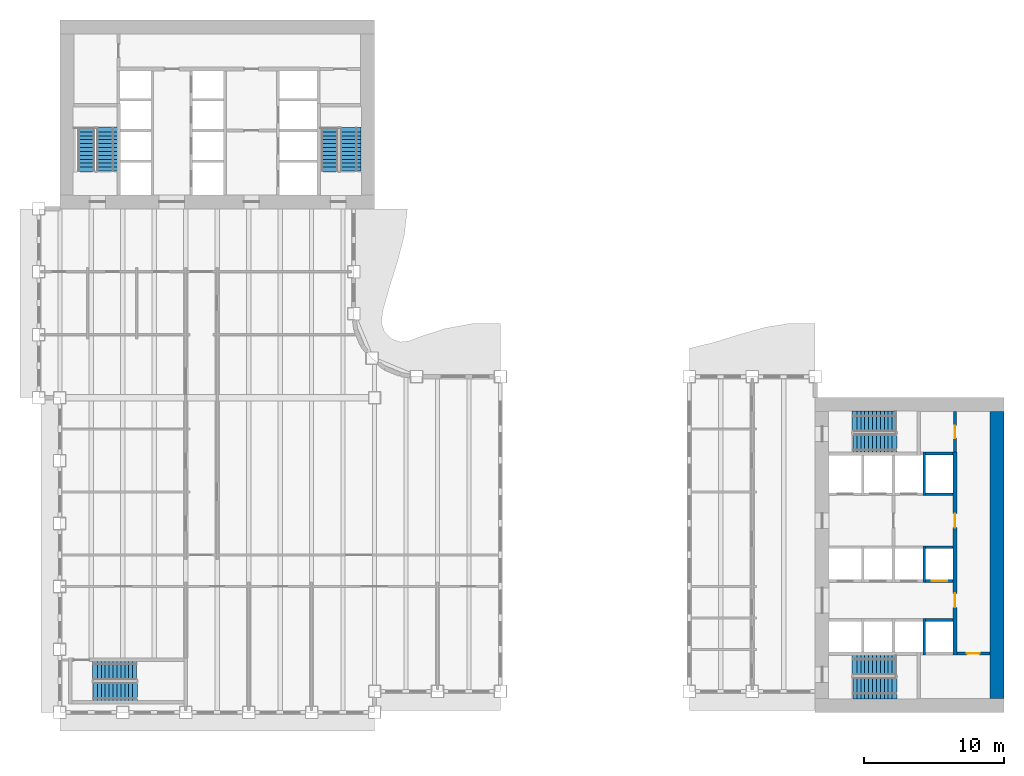
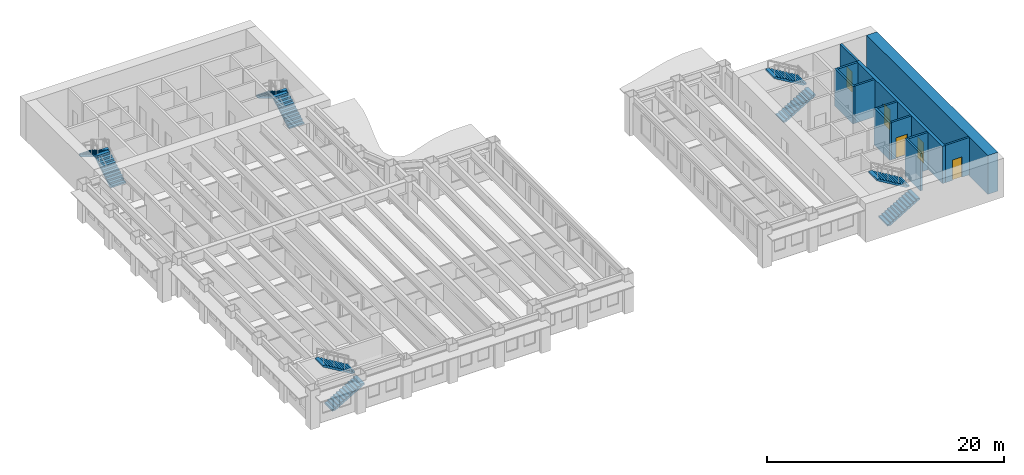
# One storey, part 9 of 13: 12 walls, 10 stair flights, 5 doors, 5 openings, 5 elements without a shape of their own.
"""IFC4 building model written with IfcOpenShell, lengths in metres."""

import ifcopenshell
import ifcopenshell.guid

model = None  # the IFC model being written
_history = None  # IfcOwnerHistory: only IFC2X3 demands one
_inside = {}  # id of a spatial element -> (the spatial element, [elements in it])
_under = {}  # id of a project, library or spatial element -> (it, [spatial elements below it])
_declared = {}  # id of a project -> (the project, [libraries it declares])
_typed = {}  # id of a type object -> (the type object, [elements of that type])
_made_of = {}  # id of a material, layer set ... -> (it, [elements and type objects made of it])


def new_model(schema):
    """Start an empty IFC model of exactly this schema.

    Asked for "IFC4X3", IfcOpenShell would pick the latest addendum, in which some entities
    have other attributes; the version numbers below select the first issue.
    IFC2X3 requires an IfcOwnerHistory on every rooted entity: one is made here for all.
    """
    global model, _history
    if schema == "IFC4X3":
        model = ifcopenshell.file(schema_version=(4, 3, 0, 0))
    else:
        model = ifcopenshell.file(schema=schema)
    _inside.clear()
    _under.clear()
    _declared.clear()
    _typed.clear()
    _made_of.clear()
    _history = None
    if model.schema == "IFC2X3":
        org = make("IfcOrganization", Name="unknown")
        user = make(
            "IfcPersonAndOrganization",
            ThePerson=make("IfcPerson", FamilyName="unknown"),
            TheOrganization=org,
        )
        app = make(
            "IfcApplication",
            ApplicationDeveloper=org,
            Version="unknown",
            ApplicationFullName="unknown",
            ApplicationIdentifier="unknown",
        )
        _history = make(
            "IfcOwnerHistory",
            OwningUser=user,
            OwningApplication=app,
            ChangeAction="ADDED",
            CreationDate=0,
        )
    return model


def make(cls, **values):
    """One entity of the class cls with the attributes given. An attribute that is None is left unset."""
    return model.create_entity(
        cls, **{name: value for name, value in values.items() if value is not None}
    )


def rooted(cls, **values):
    """An entity with a GlobalId (a new one), such as an element, a storey or a relation."""
    return make(cls, GlobalId=ifcopenshell.guid.new(), OwnerHistory=_history, **values)


def si_unit(unit_type, name, prefix=None):
    """IfcSIUnit, for example si_unit("LENGTHUNIT", "METRE", prefix="MILLI")."""
    return make("IfcSIUnit", UnitType=unit_type, Prefix=prefix, Name=name)


def assignment(units):
    """IfcUnitAssignment: the units of a project."""
    return None if units is None else make("IfcUnitAssignment", Units=units)


def point(xyz):
    """IfcCartesianPoint."""
    return None if xyz is None else make("IfcCartesianPoint", Coordinates=xyz)


def direction(xyz):
    """IfcDirection."""
    return None if xyz is None else make("IfcDirection", DirectionRatios=xyz)


def frame(location, z_axis=None, x_axis=None):
    """IfcAxis2Placement3D, a coordinate frame: its origin and axes. An axis left out is left unset."""
    return make(
        "IfcAxis2Placement3D",
        Location=point(location),
        Axis=direction(z_axis),
        RefDirection=direction(x_axis),
    )


def frame_2d(location, x_axis=None):
    """IfcAxis2Placement2D, a coordinate frame in the plane: its origin and x axis."""
    return make(
        "IfcAxis2Placement2D", Location=point(location), RefDirection=direction(x_axis)
    )


def origin():
    """The frame at (0, 0, 0) with its axes left unset."""
    return frame((0.0, 0.0, 0.0))


def place(relative_to, where):
    """IfcLocalPlacement: puts the frame where relative to a parent placement (None: the world)."""
    return make(
        "IfcLocalPlacement", PlacementRelTo=relative_to, RelativePlacement=where
    )


def context(
    kind, dimensions, precision=None, world=None, true_north=None, identifier=None
):
    """IfcGeometricRepresentationContext, for example the 3D "Model" context."""
    return make(
        "IfcGeometricRepresentationContext",
        ContextIdentifier=identifier,
        ContextType=kind,
        CoordinateSpaceDimension=dimensions,
        Precision=precision,
        WorldCoordinateSystem=world,
        TrueNorth=true_north,
    )


def subcontext(parent, identifier, kind, view, scale=None):
    """IfcGeometricRepresentationSubContext, for example "Body" below "Model"."""
    return make(
        "IfcGeometricRepresentationSubContext",
        ContextIdentifier=identifier,
        ContextType=kind,
        ParentContext=parent,
        TargetScale=scale,
        TargetView=view,
    )


def project(units=None, contexts=None):
    """IfcProject with its units and contexts."""
    return rooted(
        "IfcProject",
        Name="project",
        RepresentationContexts=contexts,
        UnitsInContext=assignment(units),
    )


def spatial(cls, under=None, at=None, **own):
    """A site, building, storey or space (cls), placed at a placement, below another one or the project."""
    s = rooted(cls, ObjectPlacement=at, **own)
    if under is not None:
        _under.setdefault(under.id(), (under, []))[1].append(s)
    return s


def polyline(points):
    """IfcPolyline through the points."""
    return make("IfcPolyline", Points=[point(p) for p in points])


def profile(cls, at=None, kind="AREA", **sizes):
    """A parametric profile (cls). Its sizes go by their IFC names, for example OverallWidth=200.0."""
    return make(cls, ProfileType=kind, Position=at, **sizes)


def rectangle(**sizes):
    """IfcRectangleProfileDef."""
    return profile("IfcRectangleProfileDef", **sizes)


def outline(outer, holes=None, kind="AREA"):
    """IfcArbitraryClosedProfileDef: a profile drawn as a closed curve; with holes, ...WithVoids."""
    if holes is None:
        return make("IfcArbitraryClosedProfileDef", ProfileType=kind, OuterCurve=outer)
    return make(
        "IfcArbitraryProfileDefWithVoids",
        ProfileType=kind,
        OuterCurve=outer,
        InnerCurves=holes,
    )


def extrude(swept, where, along, depth):
    """IfcExtrudedAreaSolid: the profile swept, set in the frame where, extruded along a direction by depth."""
    return make(
        "IfcExtrudedAreaSolid",
        SweptArea=swept,
        Position=where,
        ExtrudedDirection=direction(along),
        Depth=depth,
    )


def shape(context_of_items, identifier, shape_type, items):
    """IfcShapeRepresentation: the items that make up one representation, for example the "Body"."""
    return make(
        "IfcShapeRepresentation",
        ContextOfItems=context_of_items,
        RepresentationIdentifier=identifier,
        RepresentationType=shape_type,
        Items=items,
    )


def material(Name=None, Category=None):
    """IfcMaterial."""
    return make("IfcMaterial", Name=Name, Category=Category)


def layer(
    of_material, thickness, ventilated=None, Name=None, Category=None, Priority=None
):
    """IfcMaterialLayer: one layer of a wall or slab, of a material (None: an air gap)."""
    return make(
        "IfcMaterialLayer",
        Material=of_material,
        LayerThickness=thickness,
        IsVentilated=ventilated,
        Name=Name,
        Category=Category,
        Priority=Priority,
    )


def layer_set(layers, Name=None):
    """IfcMaterialLayerSet."""
    return make("IfcMaterialLayerSet", MaterialLayers=layers, LayerSetName=Name)


def made_of(thing, what):
    """Note that an element or type object is made of a material, layer set ...; save() writes the relation."""
    if what is not None:
        _made_of.setdefault(what.id(), (what, []))[1].append(thing)
    return thing


def type_object(cls, material=None, **own):
    """A type object (cls), such as IfcWallType, which elements share."""
    return made_of(rooted(cls, **own), material)


def element(
    cls,
    number,
    at=None,
    inside=None,
    cuts=None,
    type_object=None,
    material=None,
    context=None,
    identifier="Body",
    shape_type=None,
    held_by="IfcProductDefinitionShape",
    body=None,
    shapes=None,
    **own,
):
    """One element of the class cls, such as IfcWall. Its Tag is "e" and its number.

    at: its placement. inside: the storey or other place that contains it. cuts: it is an
    opening in that element (IfcRelVoidsElement). A single representation is given by context,
    identifier, shape_type and body (its items); several are given by shapes. held_by: the class
    of the entity that holds the representations. save() writes the other relations.
    """
    e = rooted(cls, Tag="e%d" % number, ObjectPlacement=at, **own)
    if body is not None:
        shapes = [shape(context, identifier, shape_type, body)]
    if shapes is not None:
        e.Representation = make(held_by, Representations=shapes)
    if inside is not None:
        _inside.setdefault(inside.id(), (inside, []))[1].append(e)
    if cuts is not None:
        rooted(
            "IfcRelVoidsElement", RelatingBuildingElement=cuts, RelatedOpeningElement=e
        )
    if type_object is not None:
        _typed.setdefault(type_object.id(), (type_object, []))[1].append(e)
    return made_of(e, material)


def fill(opening, filler):
    """IfcRelFillsElement: the door or window that sits in an opening."""
    return rooted(
        "IfcRelFillsElement",
        RelatingOpeningElement=opening,
        RelatedBuildingElement=filler,
    )


def aggregate(whole, parts):
    """IfcRelAggregates: a whole, such as a stair, and the parts it consists of."""
    return rooted("IfcRelAggregates", RelatingObject=whole, RelatedObjects=parts)


def save(model, path):
    """Write the relations noted so far, then the file.

    IfcRelAggregates (storeys below a building ...), IfcRelContainedInSpatialStructure (elements
    in a storey), IfcRelDefinesByType, IfcRelAssociatesMaterial and IfcRelDeclares: one each for
    every whole, place, type object, material and project.
    """
    for whole, parts in _under.values():
        aggregate(whole, parts)
    for where, things in _inside.values():
        rooted(
            "IfcRelContainedInSpatialStructure",
            RelatedElements=things,
            RelatingStructure=where,
        )
    for kind, things in _typed.values():
        rooted("IfcRelDefinesByType", RelatedObjects=things, RelatingType=kind)
    for what, things in _made_of.values():
        rooted("IfcRelAssociatesMaterial", RelatedObjects=things, RelatingMaterial=what)
    for by, libraries in _declared.values():
        rooted("IfcRelDeclares", RelatingContext=by, RelatedDefinitions=libraries)
    model.write(path)


model = new_model("IFC4")

# Units and contexts
model_context = context("Model", 3, precision=1e-05, world=origin(), true_north=direction((0.0, 1.0)))
body_context = subcontext(model_context, "Body", "Model", "MODEL_VIEW")
ifc_project = project(units=[si_unit("LENGTHUNIT", "METRE"), si_unit("AREAUNIT", "SQUARE_METRE"), si_unit("VOLUMEUNIT", "CUBIC_METRE"), si_unit("PLANEANGLEUNIT", "RADIAN"), si_unit("MASSUNIT", "GRAM", prefix="KILO")], contexts=[model_context])

# Site, building, storey
site_placement = place(None, origin())
site = spatial("IfcSite", under=ifc_project, at=site_placement, CompositionType="ELEMENT")
building_placement = place(site_placement, origin())
building = spatial("IfcBuilding", under=site, at=building_placement, Name="Sennacour Bend Tower", CompositionType="ELEMENT")
storey_placement = place(building_placement, frame((0.0, 0.0, 139.0)))
storey = spatial("IfcBuildingStorey", under=building, at=storey_placement, Name="L31", CompositionType="ELEMENT", Elevation=139.0)

# Wall
ifc_material_1 = material(Name="Concrete C60/75", Category="concrete")
ifc_layer_1 = layer(ifc_material_1, 1.0, Name="Concrete C60/75", Category="concrete")
ifc_layer_set_1 = layer_set([ifc_layer_1], Name="Concrete C60/75")
wall_type_1 = type_object("IfcWallType", Name="Core wall 1000 C60/75", PredefinedType="SHEAR", material=ifc_layer_set_1)
wall_1_placement = place(storey_placement, frame((67.0, 1.0, -0.14990234375), z_axis=(0.0, 0.0, 1.0), x_axis=(0.0, 1.0, 0.0)))
element("IfcWall", 1, at=wall_1_placement, inside=storey, type_object=wall_type_1, Name="Core A wall L31 E", PredefinedType="SHEAR", context=body_context, shape_type="SweptSolid", body=[
    extrude(rectangle(XDim=20.5, YDim=1.0, at=frame_2d((10.25, 0.0))), origin(), (0.0, 0.0, 1.0), 4.0),
])

# Wall, opening, door
ifc_material_2 = material(Name="Fire-rated plasterboard partition on steel studs", Category="steel")
ifc_layer_2 = layer(ifc_material_2, 0.199951171875, Name="Fire-rated plasterboard partition on steel studs", Category="steel")
ifc_layer_set_2 = layer_set([ifc_layer_2], Name="Fire-rated plasterboard partition on steel studs")
wall_type_2 = type_object("IfcWallType", Name="Rated partition 200", PredefinedType="PARTITIONING", material=ifc_layer_set_2)
wall_2_placement = place(storey_placement, frame((64.0, 18.60009765625, 0.0), z_axis=(0.0, 0.0, 1.0), x_axis=(0.0, 1.0, 0.0)))
wall_2 = element("IfcWall", 2, at=wall_2_placement, inside=storey, type_object=wall_type_2, Name="P-L31-W041", PredefinedType="PARTITIONING", context=body_context, shape_type="SweptSolid", body=[
    extrude(rectangle(XDim=2.89990234375, YDim=0.199951171875, at=frame_2d((1.449951171875, 0.0))), origin(), (0.0, 0.0, 1.0), 3.85009765625),
])
opening_1_placement = place(wall_2_placement, frame((1.0, 0.0, 0.0)))
opening_1 = element("IfcOpeningElement", 3, at=opening_1_placement, cuts=wall_2, Name="Opening SV", PredefinedType="OPENING", context=body_context, shape_type="SweptSolid", body=[
    extrude(rectangle(XDim=0.89990234375, YDim=2.10009765625, at=frame_2d((0.449951171875, 1.050048828125))), frame((0.0, 0.10986328125, 0.0), z_axis=(0.0, -1.0, 0.0), x_axis=(1.0, 0.0, 0.0)), (0.0, 0.0, 1.0), 0.219970703125),
])
ifc_material_3 = material(Name="Painted steel", Category="steel")
door_type_1 = type_object("IfcDoorType", Name="DR-SERVICE-900", OperationType="NOTDEFINED", PredefinedType="DOOR", material=ifc_material_3)
door_1_placement = place(opening_1_placement, origin())
door_1 = element("IfcDoor", 4, at=door_1_placement, inside=storey, type_object=door_type_1, Name="Door", OperationType="SINGLE_SWING_LEFT", OverallHeight=2.10009765625, OverallWidth=0.89990234375, PredefinedType="DOOR", context=body_context, shape_type="SweptSolid", body=[
    extrude(rectangle(XDim=0.89990234375, YDim=2.10009765625, at=frame_2d((0.449951171875, 1.050048828125))), frame((0.0, 0.02490234375, 0.0), z_axis=(0.0, -1.0, 0.0), x_axis=(1.0, 0.0, 0.0)), (0.0, 0.0, 1.0), 0.050048828125),
])
fill(opening_1, door_1)

wall_3_placement = place(storey_placement, frame((64.14990234375, 4.199951171875, 0.0), z_axis=(0.0, 0.0, 1.0), x_axis=(1.0, 0.0, 0.0)))
wall_3 = element("IfcWall", 5, at=wall_3_placement, inside=storey, type_object=wall_type_2, Name="P-L31-W049", PredefinedType="PARTITIONING", context=body_context, shape_type="SweptSolid", body=[
    extrude(rectangle(XDim=2.35009765625, YDim=0.199951171875, at=frame_2d((1.175048828125, 0.0))), origin(), (0.0, 0.0, 1.0), 3.85009765625),
])
opening_2_placement = place(wall_3_placement, frame((0.7001953125, 0.0, 0.0)))
opening_2 = element("IfcOpeningElement", 6, at=opening_2_placement, cuts=wall_3, Name="Opening SV", PredefinedType="OPENING", context=body_context, shape_type="SweptSolid", body=[
    extrude(rectangle(XDim=0.89990234375, YDim=2.10009765625, at=frame_2d((0.449951171875, 1.050048828125))), frame((0.0, 0.10986328125, 0.0), z_axis=(0.0, -1.0, 0.0), x_axis=(1.0, 0.0, 0.0)), (0.0, 0.0, 1.0), 0.219970703125),
])
door_2_placement = place(opening_2_placement, origin())
door_2 = element("IfcDoor", 7, at=door_2_placement, inside=storey, type_object=door_type_1, Name="Door", OperationType="SINGLE_SWING_LEFT", OverallHeight=2.10009765625, OverallWidth=0.89990234375, PredefinedType="DOOR", context=body_context, shape_type="SweptSolid", body=[
    extrude(rectangle(XDim=0.89990234375, YDim=2.10009765625, at=frame_2d((0.449951171875, 1.050048828125))), frame((0.0, 0.02490234375, 0.0), z_axis=(0.0, -1.0, 0.0), x_axis=(1.0, 0.0, 0.0)), (0.0, 0.0, 1.0), 0.050048828125),
])
fill(opening_2, door_2)

# Walls
ifc_material_4 = material(Name="Concrete C50/60", Category="concrete")
ifc_layer_3 = layer(ifc_material_4, 0.199951171875, Name="Concrete C50/60", Category="concrete")
ifc_layer_set_3 = layer_set([ifc_layer_3], Name="Concrete C50/60")
wall_type_3 = type_object("IfcWallType", Name="Shaft wall 200", PredefinedType="SOLIDWALL", material=ifc_layer_set_3)
for number, where, z_axis, x_axis, name in (
    (8, (61.800048828125, 4.10009765625, 0.0), (0.0, 0.0, 1.0), (0.0, 1.0, 0.0), "P-L31-W037"),
    (9, (61.800048828125, 9.300048828125, 0.0), (0.0, 0.0, 1.0), (0.0, 1.0, 0.0), "P-L31-W038"),
):
    element("IfcWall", number, at=place(storey_placement, frame(where, z_axis=z_axis, x_axis=x_axis)), inside=storey, type_object=wall_type_3, Name=name, PredefinedType="SOLIDWALL", context=body_context, shape_type="SweptSolid", body=[
        extrude(rectangle(XDim=2.599853515625, YDim=0.199951171875, at=frame_2d((1.2998046875, 0.0))), origin(), (0.0, 0.0, 1.0), 3.85009765625),
    ])
wall_4_placement = place(storey_placement, frame((61.800048828125, 15.5, 0.0), z_axis=(0.0, 0.0, 1.0), x_axis=(0.0, 1.0, 0.0)))
element("IfcWall", 10, at=wall_4_placement, inside=storey, type_object=wall_type_3, Name="P-L31-W039", PredefinedType="SOLIDWALL", context=body_context, shape_type="SweptSolid", body=[
    extrude(rectangle(XDim=3.10009765625, YDim=0.199951171875, at=frame_2d((1.550048828125, 0.0))), origin(), (0.0, 0.0, 1.0), 3.85009765625),
])
wall_5_placement = place(storey_placement, frame((61.89990234375, 6.60009765625, 0.0), z_axis=(0.0, 0.0, 1.0), x_axis=(1.0, 0.0, 0.0)))
element("IfcWall", 11, at=wall_5_placement, inside=storey, type_object=wall_type_3, Name="P-L31-W051d", PredefinedType="SOLIDWALL", context=body_context, shape_type="SweptSolid", body=[
    extrude(rectangle(XDim=1.9501953125, YDim=0.199951171875, at=frame_2d((0.97509765625, 0.0))), origin(), (0.0, 0.0, 1.0), 3.85009765625),
])

# Wall, opening, door
wall_6_placement = place(storey_placement, frame((61.89990234375, 9.39990234375, 0.0), z_axis=(0.0, 0.0, 1.0), x_axis=(1.0, 0.0, 0.0)))
wall_6 = element("IfcWall", 12, at=wall_6_placement, inside=storey, type_object=wall_type_3, Name="P-L31-W055d", PredefinedType="SOLIDWALL", context=body_context, shape_type="SweptSolid", body=[
    extrude(rectangle(XDim=1.9501953125, YDim=0.199951171875, at=frame_2d((0.97509765625, 0.0))), origin(), (0.0, 0.0, 1.0), 3.85009765625),
])
opening_3_placement = place(wall_6_placement, frame((0.425048828125, 0.0, 0.011962890625)))
opening_3 = element("IfcOpeningElement", 13, at=opening_3_placement, cuts=wall_6, Name="Opening LD", PredefinedType="OPENING", context=body_context, shape_type="SweptSolid", body=[
    extrude(rectangle(XDim=1.10009765625, YDim=2.10009765625, at=frame_2d((0.550048828125, 1.050048828125))), frame((0.0, 0.10986328125, 0.0), z_axis=(0.0, -1.0, 0.0), x_axis=(1.0, 0.0, 0.0)), (0.0, 0.0, 1.0), 0.219970703125),
])
ifc_material_5 = material(Name="Stainless steel", Category="steel")
door_type_2 = type_object("IfcDoorType", Name="DR-LANDING-1100", OperationType="NOTDEFINED", PredefinedType="DOOR", material=ifc_material_5)
door_3_placement = place(opening_3_placement, origin())
door_3 = element("IfcDoor", 14, at=door_3_placement, inside=storey, type_object=door_type_2, Name="Lift landing door HA4", OperationType="SLIDING_TO_RIGHT", OverallHeight=2.10009765625, OverallWidth=1.10009765625, PredefinedType="DOOR", context=body_context, shape_type="SweptSolid", body=[
    extrude(rectangle(XDim=1.10009765625, YDim=2.10009765625, at=frame_2d((0.550048828125, 1.050048828125))), frame((0.0, 0.02490234375, 0.0), z_axis=(0.0, -1.0, 0.0), x_axis=(1.0, 0.0, 0.0)), (0.0, 0.0, 1.0), 0.050048828125),
])
fill(opening_3, door_3)

# Walls
for number, where, z_axis, x_axis, name in (
    (15, (61.89990234375, 11.800048828125, 0.0), (0.0, 0.0, 1.0), (1.0, 0.0, 0.0), "P-L31-W057d"),
    (16, (61.89990234375, 15.60009765625, 0.0), (0.0, 0.0, 1.0), (1.0, 0.0, 0.0), "P-L31-W058d"),
    (17, (61.89990234375, 18.5, 0.0), (0.0, 0.0, 1.0), (1.0, 0.0, 0.0), "P-L31-W062b"),
):
    element("IfcWall", number, at=place(storey_placement, frame(where, z_axis=z_axis, x_axis=x_axis)), inside=storey, type_object=wall_type_3, Name=name, PredefinedType="SOLIDWALL", context=body_context, shape_type="SweptSolid", body=[
        extrude(rectangle(XDim=1.9501953125, YDim=0.199951171875, at=frame_2d((0.97509765625, 0.0))), origin(), (0.0, 0.0, 1.0), 3.85009765625),
    ])

# Wall, openings, doors
ifc_layer_4 = layer(ifc_material_1, 0.300048828125, Name="Concrete C60/75", Category="concrete")
ifc_layer_set_4 = layer_set([ifc_layer_4], Name="Concrete C60/75")
wall_type_4 = type_object("IfcWallType", Name="Spine wall 300", PredefinedType="SHEAR", material=ifc_layer_set_4)
wall_7_placement = place(storey_placement, frame((64.0, 4.10009765625, 0.0), z_axis=(0.0, 0.0, 1.0), x_axis=(0.0, 1.0, 0.0)))
wall_7 = element("IfcWall", 18, at=wall_7_placement, inside=storey, type_object=wall_type_4, Name="P-L31-W040", PredefinedType="SHEAR", context=body_context, shape_type="SweptSolid", body=[
    extrude(rectangle(XDim=14.5, YDim=0.300048828125, at=frame_2d((7.25, 0.0))), origin(), (0.0, 0.0, 1.0), 3.85009765625),
])
opening_4_placement = place(wall_7_placement, frame((3.39990234375, 0.0, 0.0)))
opening_4 = element("IfcOpeningElement", 19, at=opening_4_placement, cuts=wall_7, Name="Opening CD2", PredefinedType="OPENING", context=body_context, shape_type="SweptSolid", body=[
    extrude(rectangle(XDim=1.0, YDim=2.10009765625, at=frame_2d((0.5, 1.050048828125))), frame((0.0, 0.16015625, 0.0), z_axis=(0.0, -1.0, 0.0), x_axis=(1.0, 0.0, 0.0)), (0.0, 0.0, 1.0), 0.320068359375),
])
opening_5_placement = place(wall_7_placement, frame((9.099853515625, 0.0, 0.0)))
opening_5 = element("IfcOpeningElement", 20, at=opening_5_placement, cuts=wall_7, Name="Opening CD2", PredefinedType="OPENING", context=body_context, shape_type="SweptSolid", body=[
    extrude(rectangle(XDim=1.0, YDim=2.10009765625, at=frame_2d((0.5, 1.050048828125))), frame((0.0, 0.16015625, 0.0), z_axis=(0.0, -1.0, 0.0), x_axis=(1.0, 0.0, 0.0)), (0.0, 0.0, 1.0), 0.320068359375),
])
door_type_3 = type_object("IfcDoorType", Name="DR-LOBBY-1000", OperationType="NOTDEFINED", PredefinedType="DOOR", material=ifc_material_3)
door_4_placement = place(opening_4_placement, origin())
door_4 = element("IfcDoor", 21, at=door_4_placement, inside=storey, type_object=door_type_3, Name="Door", OperationType="SINGLE_SWING_LEFT", OverallHeight=2.10009765625, OverallWidth=1.0, PredefinedType="DOOR", context=body_context, shape_type="SweptSolid", body=[
    extrude(rectangle(XDim=1.0, YDim=2.10009765625, at=frame_2d((0.5, 1.050048828125))), frame((0.0, 0.02490234375, 0.0), z_axis=(0.0, -1.0, 0.0), x_axis=(1.0, 0.0, 0.0)), (0.0, 0.0, 1.0), 0.050048828125),
])
fill(opening_4, door_4)
door_5_placement = place(opening_5_placement, origin())
door_5 = element("IfcDoor", 22, at=door_5_placement, inside=storey, type_object=door_type_3, Name="Door", OperationType="SINGLE_SWING_RIGHT", OverallHeight=2.10009765625, OverallWidth=1.0, PredefinedType="DOOR", context=body_context, shape_type="SweptSolid", body=[
    extrude(rectangle(XDim=1.0, YDim=2.10009765625, at=frame_2d((0.5, 1.050048828125))), frame((0.0, 0.02490234375, 0.0), z_axis=(0.0, -1.0, 0.0), x_axis=(1.0, 0.0, 0.0)), (0.0, 0.0, 1.0), 0.050048828125),
])
fill(opening_5, door_5)

# Stair, stair flights
ifc_material_6 = material(Name="Concrete C40/50", Category="concrete")
stair_type = type_object("IfcStairType", Name="ST-DOGLEG", PredefinedType="HALF_TURN_STAIR", material=ifc_material_6)
stair_1_placement = place(storey_placement, origin())
stair_1 = element("IfcStair", 23, at=stair_1_placement, inside=storey, type_object=stair_type, Name="L31 Exit stair A1", PredefinedType="HALF_TURN_STAIR")
stair_flight_type = type_object("IfcStairFlightType", Name="SFL-RC", PredefinedType="STRAIGHT", material=ifc_material_6)
stair_flight_1_placement = place(storey_placement, frame((56.699951171875, 1.735107421875, 0.0), z_axis=(0.0, 0.0, 1.0), x_axis=(1.0, 0.0, 0.0)))
stair_flight_1 = element("IfcStairFlight", 24, at=stair_flight_1_placement, type_object=stair_flight_type, Name="SA1 flight 1", NumberOfRisers=12, NumberOfTreads=11, PredefinedType="STRAIGHT", RiserHeight=0.166666667, TreadLength=0.28, context=body_context, shape_type="SweptSolid", body=[
    extrude(outline(polyline([(0.0, 0.0), (0.0, 0.166748046875), (0.280029296875, 0.166748046875), (0.280029296875, 0.333251953125), (0.56005859375, 0.333251953125), (0.56005859375, 0.5), (0.840087890625, 0.5), (0.840087890625, 0.666748046875), (1.1201171875, 0.666748046875), (1.1201171875, 0.833251953125), (1.39990234375, 0.833251953125), (1.39990234375, 1.0), (1.679931640625, 1.0), (1.679931640625, 1.166748046875), (1.9599609375, 1.166748046875), (1.9599609375, 1.333251953125), (2.239990234375, 1.333251953125), (2.239990234375, 1.5), (2.52001953125, 1.5), (2.52001953125, 1.666748046875), (2.800048828125, 1.666748046875), (2.800048828125, 1.833251953125), (3.080078125, 1.833251953125), (3.139892578125, 1.833251953125), (3.139892578125, 1.658935546875), (3.080078125, 1.658935546875), (0.29296875, 0.0), (0.0, 0.0)])), frame((0.0, 0.76513671875, 0.0), z_axis=(0.0, -1.0, 0.0), x_axis=(1.0, 0.0, 0.0)), (0.0, 0.0, 1.0), 1.530029296875),
])
stair_flight_2_placement = place(storey_placement, frame((59.780029296875, 3.37744140625, 2.0), z_axis=(0.0, 0.0, 1.0), x_axis=(-1.0, 0.0, 0.0)))
stair_flight_2 = element("IfcStairFlight", 25, at=stair_flight_2_placement, type_object=stair_flight_type, Name="SA1 flight 2", NumberOfRisers=12, NumberOfTreads=11, PredefinedType="STRAIGHT", RiserHeight=0.166666667, TreadLength=0.28, context=body_context, shape_type="SweptSolid", body=[
    extrude(outline(polyline([(0.0, 0.0), (0.0, 0.166748046875), (0.280029296875, 0.166748046875), (0.280029296875, 0.333251953125), (0.56005859375, 0.333251953125), (0.56005859375, 0.5), (0.840087890625, 0.5), (0.840087890625, 0.666748046875), (1.1201171875, 0.666748046875), (1.1201171875, 0.833251953125), (1.39990234375, 0.833251953125), (1.39990234375, 1.0), (1.679931640625, 1.0), (1.679931640625, 1.166748046875), (1.9599609375, 1.166748046875), (1.9599609375, 1.333251953125), (2.239990234375, 1.333251953125), (2.239990234375, 1.5), (2.52001953125, 1.5), (2.52001953125, 1.666748046875), (2.800048828125, 1.666748046875), (2.800048828125, 1.833251953125), (3.080078125, 1.833251953125), (3.139892578125, 1.833251953125), (3.139892578125, 1.658935546875), (3.080078125, 1.658935546875), (0.29296875, 0.0), (0.0, 0.0)])), frame((0.0, 0.7275390625, 0.0), z_axis=(0.0, -1.0, 0.0), x_axis=(1.0, 0.0, 0.0)), (0.0, 0.0, 1.0), 1.455078125),
])
aggregate(stair_1, [stair_flight_1, stair_flight_2])

stair_2_placement = place(storey_placement, origin())
stair_2 = element("IfcStair", 26, at=stair_2_placement, inside=storey, type_object=stair_type, Name="L31 Exit stair A2", PredefinedType="HALF_TURN_STAIR")
stair_flight_3_placement = place(storey_placement, frame((56.699951171875, 19.24755859375, 0.0), z_axis=(0.0, 0.0, 1.0), x_axis=(1.0, 0.0, 0.0)))
stair_flight_3 = element("IfcStairFlight", 27, at=stair_flight_3_placement, type_object=stair_flight_type, Name="SA2 flight 1", NumberOfRisers=12, NumberOfTreads=11, PredefinedType="STRAIGHT", RiserHeight=0.166666667, TreadLength=0.28, context=body_context, shape_type="SweptSolid", body=[
    extrude(outline(polyline([(0.0, 0.0), (0.0, 0.166748046875), (0.280029296875, 0.166748046875), (0.280029296875, 0.333251953125), (0.56005859375, 0.333251953125), (0.56005859375, 0.5), (0.840087890625, 0.5), (0.840087890625, 0.666748046875), (1.1201171875, 0.666748046875), (1.1201171875, 0.833251953125), (1.39990234375, 0.833251953125), (1.39990234375, 1.0), (1.679931640625, 1.0), (1.679931640625, 1.166748046875), (1.9599609375, 1.166748046875), (1.9599609375, 1.333251953125), (2.239990234375, 1.333251953125), (2.239990234375, 1.5), (2.52001953125, 1.5), (2.52001953125, 1.666748046875), (2.800048828125, 1.666748046875), (2.800048828125, 1.833251953125), (3.080078125, 1.833251953125), (3.139892578125, 1.833251953125), (3.139892578125, 1.658935546875), (3.080078125, 1.658935546875), (0.29296875, 0.0), (0.0, 0.0)])), frame((0.0, 0.65234375, 0.0), z_axis=(0.0, -1.0, 0.0), x_axis=(1.0, 0.0, 0.0)), (0.0, 0.0, 1.0), 1.304931640625),
])
stair_flight_4_placement = place(storey_placement, frame((59.780029296875, 20.7900390625, 2.0), z_axis=(0.0, 0.0, 1.0), x_axis=(-1.0, 0.0, 0.0)))
stair_flight_4 = element("IfcStairFlight", 28, at=stair_flight_4_placement, type_object=stair_flight_type, Name="SA2 flight 2", NumberOfRisers=12, NumberOfTreads=11, PredefinedType="STRAIGHT", RiserHeight=0.166666667, TreadLength=0.28, context=body_context, shape_type="SweptSolid", body=[
    extrude(outline(polyline([(0.0, 0.0), (0.0, 0.166748046875), (0.280029296875, 0.166748046875), (0.280029296875, 0.333251953125), (0.56005859375, 0.333251953125), (0.56005859375, 0.5), (0.840087890625, 0.5), (0.840087890625, 0.666748046875), (1.1201171875, 0.666748046875), (1.1201171875, 0.833251953125), (1.39990234375, 0.833251953125), (1.39990234375, 1.0), (1.679931640625, 1.0), (1.679931640625, 1.166748046875), (1.9599609375, 1.166748046875), (1.9599609375, 1.333251953125), (2.239990234375, 1.333251953125), (2.239990234375, 1.5), (2.52001953125, 1.5), (2.52001953125, 1.666748046875), (2.800048828125, 1.666748046875), (2.800048828125, 1.833251953125), (3.080078125, 1.833251953125), (3.139892578125, 1.833251953125), (3.139892578125, 1.658935546875), (3.080078125, 1.658935546875), (0.29296875, 0.0), (0.0, 0.0)])), frame((0.0, 0.739990234375, 0.0), z_axis=(0.0, -1.0, 0.0), x_axis=(1.0, 0.0, 0.0)), (0.0, 0.0, 1.0), 1.47998046875),
])
aggregate(stair_2, [stair_flight_3, stair_flight_4])

stair_3_placement = place(storey_placement, origin())
stair_3 = element("IfcStair", 29, at=stair_3_placement, inside=storey, type_object=stair_type, Name="L31 Exit stair B1", PredefinedType="HALF_TURN_STAIR")
stair_flight_5_placement = place(storey_placement, frame((3.37744140625, 38.699951171875, 0.0), z_axis=(0.0, 0.0, 1.0), x_axis=(0.0, 1.0, 0.0)))
stair_flight_5 = element("IfcStairFlight", 30, at=stair_flight_5_placement, type_object=stair_flight_type, Name="SB1 flight 1", NumberOfRisers=12, NumberOfTreads=11, PredefinedType="STRAIGHT", RiserHeight=0.166666667, TreadLength=0.28, context=body_context, shape_type="SweptSolid", body=[
    extrude(outline(polyline([(0.0, 0.0), (0.0, 0.166748046875), (0.280029296875, 0.166748046875), (0.280029296875, 0.333251953125), (0.56005859375, 0.333251953125), (0.56005859375, 0.5), (0.840087890625, 0.5), (0.840087890625, 0.666748046875), (1.1201171875, 0.666748046875), (1.1201171875, 0.833251953125), (1.39990234375, 0.833251953125), (1.39990234375, 1.0), (1.679931640625, 1.0), (1.679931640625, 1.166748046875), (1.9599609375, 1.166748046875), (1.9599609375, 1.333251953125), (2.239990234375, 1.333251953125), (2.239990234375, 1.5), (2.52001953125, 1.5), (2.52001953125, 1.666748046875), (2.800048828125, 1.666748046875), (2.800048828125, 1.833251953125), (3.080078125, 1.833251953125), (3.139892578125, 1.833251953125), (3.139892578125, 1.658935546875), (3.080078125, 1.658935546875), (0.29296875, 0.0), (0.0, 0.0)])), frame((0.0, 0.7275390625, 0.0), z_axis=(0.0, -1.0, 0.0), x_axis=(1.0, 0.0, 0.0)), (0.0, 0.0, 1.0), 1.455078125),
])
stair_flight_6_placement = place(storey_placement, frame((1.89990234375, 41.780029296875, 2.0), z_axis=(0.0, 0.0, 1.0), x_axis=(0.0, -1.0, 0.0)))
stair_flight_6 = element("IfcStairFlight", 31, at=stair_flight_6_placement, type_object=stair_flight_type, Name="SB1 flight 2", NumberOfRisers=12, NumberOfTreads=11, PredefinedType="STRAIGHT", RiserHeight=0.166666667, TreadLength=0.28, context=body_context, shape_type="SweptSolid", body=[
    extrude(outline(polyline([(0.0, 0.0), (0.0, 0.166748046875), (0.280029296875, 0.166748046875), (0.280029296875, 0.333251953125), (0.56005859375, 0.333251953125), (0.56005859375, 0.5), (0.840087890625, 0.5), (0.840087890625, 0.666748046875), (1.1201171875, 0.666748046875), (1.1201171875, 0.833251953125), (1.39990234375, 0.833251953125), (1.39990234375, 1.0), (1.679931640625, 1.0), (1.679931640625, 1.166748046875), (1.9599609375, 1.166748046875), (1.9599609375, 1.333251953125), (2.239990234375, 1.333251953125), (2.239990234375, 1.5), (2.52001953125, 1.5), (2.52001953125, 1.666748046875), (2.800048828125, 1.666748046875), (2.800048828125, 1.833251953125), (3.080078125, 1.833251953125), (3.139892578125, 1.833251953125), (3.139892578125, 1.658935546875), (3.080078125, 1.658935546875), (0.29296875, 0.0), (0.0, 0.0)])), frame((0.0, 0.60009765625, 0.0), z_axis=(0.0, -1.0, 0.0), x_axis=(1.0, 0.0, 0.0)), (0.0, 0.0, 1.0), 1.199951171875),
])
aggregate(stair_3, [stair_flight_5, stair_flight_6])

stair_4_placement = place(storey_placement, origin())
stair_4 = element("IfcStair", 32, at=stair_4_placement, inside=storey, type_object=stair_type, Name="L31 Exit stair B2", PredefinedType="HALF_TURN_STAIR")
stair_flight_7_placement = place(storey_placement, frame((20.7900390625, 38.699951171875, 0.0), z_axis=(0.0, 0.0, 1.0), x_axis=(0.0, 1.0, 0.0)))
stair_flight_7 = element("IfcStairFlight", 33, at=stair_flight_7_placement, type_object=stair_flight_type, Name="SB2 flight 1", NumberOfRisers=12, NumberOfTreads=11, PredefinedType="STRAIGHT", RiserHeight=0.166666667, TreadLength=0.28, context=body_context, shape_type="SweptSolid", body=[
    extrude(outline(polyline([(0.0, 0.0), (0.0, 0.166748046875), (0.280029296875, 0.166748046875), (0.280029296875, 0.333251953125), (0.56005859375, 0.333251953125), (0.56005859375, 0.5), (0.840087890625, 0.5), (0.840087890625, 0.666748046875), (1.1201171875, 0.666748046875), (1.1201171875, 0.833251953125), (1.39990234375, 0.833251953125), (1.39990234375, 1.0), (1.679931640625, 1.0), (1.679931640625, 1.166748046875), (1.9599609375, 1.166748046875), (1.9599609375, 1.333251953125), (2.239990234375, 1.333251953125), (2.239990234375, 1.5), (2.52001953125, 1.5), (2.52001953125, 1.666748046875), (2.800048828125, 1.666748046875), (2.800048828125, 1.833251953125), (3.080078125, 1.833251953125), (3.139892578125, 1.833251953125), (3.139892578125, 1.658935546875), (3.080078125, 1.658935546875), (0.29296875, 0.0), (0.0, 0.0)])), frame((0.0, 0.739990234375, 0.0), z_axis=(0.0, -1.0, 0.0), x_axis=(1.0, 0.0, 0.0)), (0.0, 0.0, 1.0), 1.47998046875),
])
stair_flight_8_placement = place(storey_placement, frame((19.24755859375, 41.780029296875, 2.0), z_axis=(0.0, 0.0, 1.0), x_axis=(0.0, -1.0, 0.0)))
stair_flight_8 = element("IfcStairFlight", 34, at=stair_flight_8_placement, type_object=stair_flight_type, Name="SB2 flight 2", NumberOfRisers=12, NumberOfTreads=11, PredefinedType="STRAIGHT", RiserHeight=0.166666667, TreadLength=0.28, context=body_context, shape_type="SweptSolid", body=[
    extrude(outline(polyline([(0.0, 0.0), (0.0, 0.166748046875), (0.280029296875, 0.166748046875), (0.280029296875, 0.333251953125), (0.56005859375, 0.333251953125), (0.56005859375, 0.5), (0.840087890625, 0.5), (0.840087890625, 0.666748046875), (1.1201171875, 0.666748046875), (1.1201171875, 0.833251953125), (1.39990234375, 0.833251953125), (1.39990234375, 1.0), (1.679931640625, 1.0), (1.679931640625, 1.166748046875), (1.9599609375, 1.166748046875), (1.9599609375, 1.333251953125), (2.239990234375, 1.333251953125), (2.239990234375, 1.5), (2.52001953125, 1.5), (2.52001953125, 1.666748046875), (2.800048828125, 1.666748046875), (2.800048828125, 1.833251953125), (3.080078125, 1.833251953125), (3.139892578125, 1.833251953125), (3.139892578125, 1.658935546875), (3.080078125, 1.658935546875), (0.29296875, 0.0), (0.0, 0.0)])), frame((0.0, 0.65234375, 0.0), z_axis=(0.0, -1.0, 0.0), x_axis=(1.0, 0.0, 0.0)), (0.0, 0.0, 1.0), 1.304931640625),
])
aggregate(stair_4, [stair_flight_7, stair_flight_8])

stair_5_placement = place(storey_placement, origin())
stair_5 = element("IfcStair", 35, at=stair_5_placement, inside=storey, type_object=stair_type, Name="L31 Exit stair K1", PredefinedType="HALF_TURN_STAIR")
stair_flight_9_placement = place(storey_placement, frame((2.39990234375, 1.485107421875, 0.0), z_axis=(0.0, 0.0, 1.0), x_axis=(1.0, 0.0, 0.0)))
stair_flight_9 = element("IfcStairFlight", 36, at=stair_flight_9_placement, type_object=stair_flight_type, Name="SK1 flight 1", NumberOfRisers=12, NumberOfTreads=11, PredefinedType="STRAIGHT", RiserHeight=0.166666667, TreadLength=0.28, context=body_context, shape_type="SweptSolid", body=[
    extrude(outline(polyline([(0.0, 0.0), (0.0, 0.166748046875), (0.280029296875, 0.166748046875), (0.280029296875, 0.333251953125), (0.56005859375, 0.333251953125), (0.56005859375, 0.5), (0.840087890625, 0.5), (0.840087890625, 0.666748046875), (1.1201171875, 0.666748046875), (1.1201171875, 0.833251953125), (1.39990234375, 0.833251953125), (1.39990234375, 1.0), (1.679931640625, 1.0), (1.679931640625, 1.166748046875), (1.9599609375, 1.166748046875), (1.9599609375, 1.333251953125), (2.239990234375, 1.333251953125), (2.239990234375, 1.5), (2.52001953125, 1.5), (2.52001953125, 1.666748046875), (2.800048828125, 1.666748046875), (2.800048828125, 1.833251953125), (3.080078125, 1.833251953125), (3.139892578125, 1.833251953125), (3.139892578125, 1.658935546875), (3.080078125, 1.658935546875), (0.29296875, 0.0), (0.0, 0.0)])), frame((0.0, 0.6650390625, 0.0), z_axis=(0.0, -1.0, 0.0), x_axis=(1.0, 0.0, 0.0)), (0.0, 0.0, 1.0), 1.330078125),
])
stair_flight_10_placement = place(storey_placement, frame((5.47998046875, 2.9775390625, 2.0), z_axis=(0.0, 0.0, 1.0), x_axis=(-1.0, 0.0, 0.0)))
stair_flight_10 = element("IfcStairFlight", 37, at=stair_flight_10_placement, type_object=stair_flight_type, Name="SK1 flight 2", NumberOfRisers=12, NumberOfTreads=11, PredefinedType="STRAIGHT", RiserHeight=0.166666667, TreadLength=0.28, context=body_context, shape_type="SweptSolid", body=[
    extrude(outline(polyline([(0.0, 0.0), (0.0, 0.166748046875), (0.280029296875, 0.166748046875), (0.280029296875, 0.333251953125), (0.56005859375, 0.333251953125), (0.56005859375, 0.5), (0.840087890625, 0.5), (0.840087890625, 0.666748046875), (1.1201171875, 0.666748046875), (1.1201171875, 0.833251953125), (1.39990234375, 0.833251953125), (1.39990234375, 1.0), (1.679931640625, 1.0), (1.679931640625, 1.166748046875), (1.9599609375, 1.166748046875), (1.9599609375, 1.333251953125), (2.239990234375, 1.333251953125), (2.239990234375, 1.5), (2.52001953125, 1.5), (2.52001953125, 1.666748046875), (2.800048828125, 1.666748046875), (2.800048828125, 1.833251953125), (3.080078125, 1.833251953125), (3.139892578125, 1.833251953125), (3.139892578125, 1.658935546875), (3.080078125, 1.658935546875), (0.29296875, 0.0), (0.0, 0.0)])), frame((0.0, 0.677490234375, 0.0), z_axis=(0.0, -1.0, 0.0), x_axis=(1.0, 0.0, 0.0)), (0.0, 0.0, 1.0), 1.35498046875),
])
aggregate(stair_5, [stair_flight_9, stair_flight_10])

save(model, "model.ifc")
